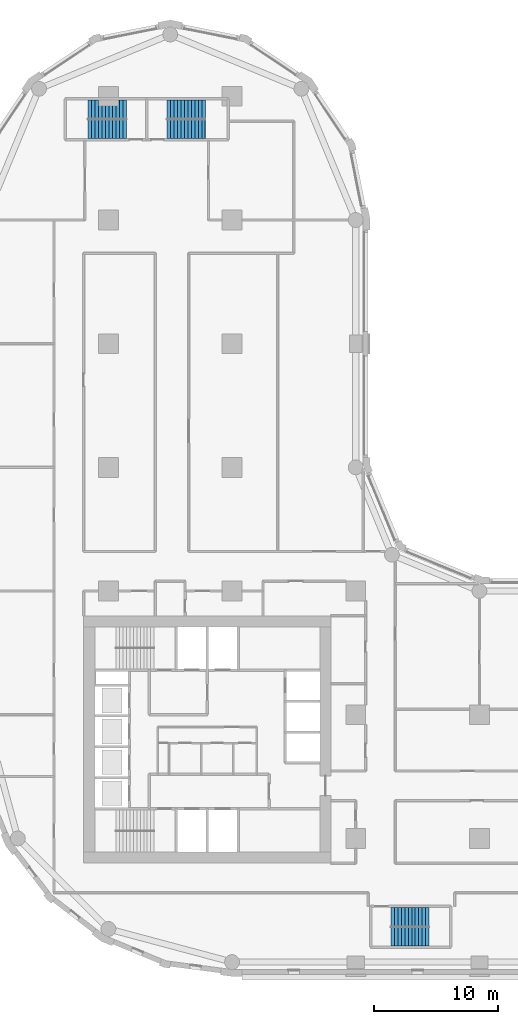
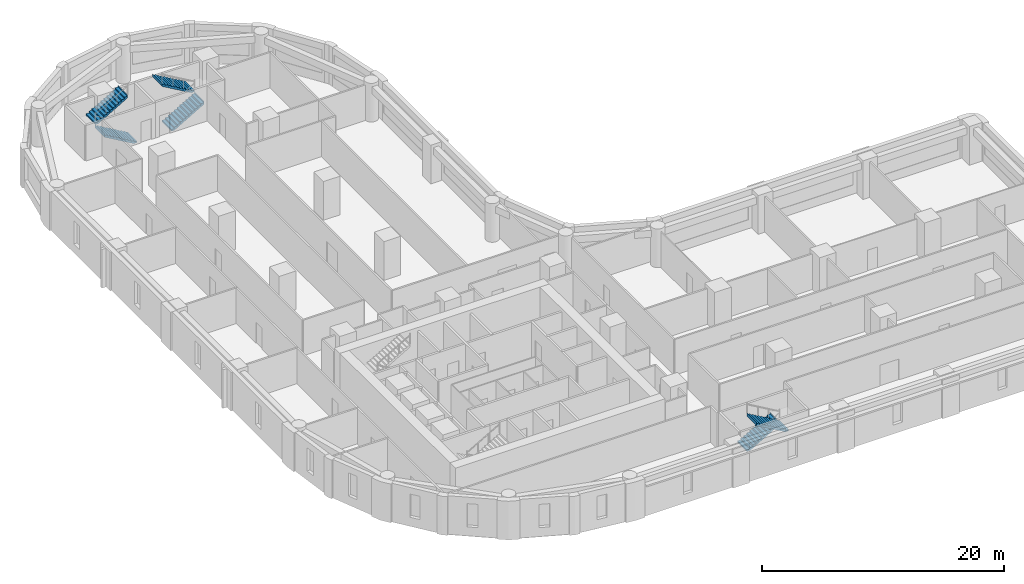
# One storey, part 8 of 10: 6 stair flights, 3 elements without a shape of their own.
"""IFC4 building model written with IfcOpenShell, lengths in metres."""

from ifc_helpers import new_model, si_unit, direction, frame, origin, place, context, subcontext, project, spatial, polyline, outline, extrude, material, type_object, element, aggregate, save


model = new_model("IFC4")

# Units and contexts
model_context = context("Model", 3, precision=1e-05, world=origin(), true_north=direction((0.0, 1.0)))
body_context = subcontext(model_context, "Body", "Model", "MODEL_VIEW")
ifc_project = project(units=[si_unit("LENGTHUNIT", "METRE"), si_unit("AREAUNIT", "SQUARE_METRE"), si_unit("VOLUMEUNIT", "CUBIC_METRE"), si_unit("PLANEANGLEUNIT", "RADIAN"), si_unit("MASSUNIT", "GRAM", prefix="KILO")], contexts=[model_context])

# Site, building, storey
site_placement = place(None, origin())
site = spatial("IfcSite", under=ifc_project, at=site_placement, CompositionType="ELEMENT")
building_placement = place(site_placement, origin())
building = spatial("IfcBuilding", under=site, at=building_placement, Name="Qaws Garden Tower", CompositionType="ELEMENT")
storey_placement = place(building_placement, frame((0.0, 0.0, 74.39990234375)))
storey = spatial("IfcBuildingStorey", under=building, at=storey_placement, Name="L18", CompositionType="ELEMENT", Elevation=74.39990234375)

# Stair, stair flights
ifc_material_1 = material(Name="Concrete C40", Category="concrete")
stair_type = type_object("IfcStairType", Name="Exit stair 1350", PredefinedType="HALF_TURN_STAIR", material=ifc_material_1)
placement = place(storey_placement, origin())
stair_1 = element("IfcStair", 1, at=placement, inside=storey, type_object=stair_type, Name="Stair 5", PredefinedType="HALF_TURN_STAIR")
ifc_material_2 = material(Name="Concrete C40", Category="concrete")
stair_flight_type = type_object("IfcStairFlightType", Name="Stair flight 1350", PredefinedType="STRAIGHT", material=ifc_material_2)
stair_flight_1_placement = place(storey_placement, frame((32.85009765625, 3.625, 0.0), z_axis=(0.0, 0.0, 1.0), x_axis=(1.0, 0.0, 0.0)))
stair_flight_1 = element("IfcStairFlight", 2, at=stair_flight_1_placement, type_object=stair_flight_type, Name="ST5 flight 1", NumberOfRisers=12, NumberOfTreads=11, PredefinedType="STRAIGHT", RiserHeight=0.1625, TreadLength=0.28, context=body_context, shape_type="SweptSolid", body=[
    extrude(outline(polyline([(-0.0029296875, 0.0), (-0.0029296875, 0.16259765625), (0.0, 0.16259765625), (0.280029296875, 0.16259765625), (0.280029296875, 0.324951171875), (0.56005859375, 0.324951171875), (0.56005859375, 0.487548828125), (0.840087890625, 0.487548828125), (0.840087890625, 0.64990234375), (1.1201171875, 0.64990234375), (1.1201171875, 0.8125), (1.39990234375, 0.8125), (1.39990234375, 0.97509765625), (1.679931640625, 0.97509765625), (1.679931640625, 1.137451171875), (1.9599609375, 1.137451171875), (1.9599609375, 1.300048828125), (2.239990234375, 1.300048828125), (2.239990234375, 1.46240234375), (2.52001953125, 1.46240234375), (2.52001953125, 1.625), (2.800048828125, 1.625), (2.800048828125, 1.78759765625), (3.080078125, 1.78759765625), (3.080078125, 1.949951171875), (3.0830078125, 1.949951171875), (3.0830078125, 1.6142578125), (3.080078125, 1.6142578125), (0.298583984375, 0.0), (-0.0029296875, 0.0)])), frame((0.0, 0.77490234375, 0.0), z_axis=(0.0, -1.0, 0.0), x_axis=(1.0, 0.0, 0.0)), (0.0, 0.0, 1.0), 1.550048828125),
])
stair_flight_2_placement = place(storey_placement, frame((35.929931640625, 2.074951171875, 1.9501953125), z_axis=(0.0, 0.0, 1.0), x_axis=(-1.0, 0.0, 0.0)))
stair_flight_2 = element("IfcStairFlight", 3, at=stair_flight_2_placement, type_object=stair_flight_type, Name="ST5 flight 2", NumberOfRisers=12, NumberOfTreads=11, PredefinedType="STRAIGHT", RiserHeight=0.1625, TreadLength=0.28, context=body_context, shape_type="SweptSolid", body=[
    extrude(outline(polyline([(-0.0029296875, 0.0), (-0.0029296875, 0.16259765625), (0.0, 0.16259765625), (0.280029296875, 0.16259765625), (0.280029296875, 0.324951171875), (0.56005859375, 0.324951171875), (0.56005859375, 0.487548828125), (0.840087890625, 0.487548828125), (0.840087890625, 0.64990234375), (1.1201171875, 0.64990234375), (1.1201171875, 0.8125), (1.39990234375, 0.8125), (1.39990234375, 0.97509765625), (1.679931640625, 0.97509765625), (1.679931640625, 1.137451171875), (1.9599609375, 1.137451171875), (1.9599609375, 1.300048828125), (2.239990234375, 1.300048828125), (2.239990234375, 1.46240234375), (2.52001953125, 1.46240234375), (2.52001953125, 1.625), (2.800048828125, 1.625), (2.800048828125, 1.78759765625), (3.080078125, 1.78759765625), (3.080078125, 1.949951171875), (3.0830078125, 1.949951171875), (3.0830078125, 1.6142578125), (3.080078125, 1.6142578125), (0.298583984375, 0.0), (-0.0029296875, 0.0)])), frame((0.0, 0.77490234375, 0.0), z_axis=(0.0, -1.0, 0.0), x_axis=(1.0, 0.0, 0.0)), (0.0, 0.0, 1.0), 1.550048828125),
])
aggregate(stair_1, [stair_flight_1, stair_flight_2])

stair_2 = element("IfcStair", 4, at=placement, inside=storey, type_object=stair_type, Name="Stair 6", PredefinedType="HALF_TURN_STAIR")
stair_flight_3_placement = place(storey_placement, frame((11.449951171875, 67.375, 0.0), z_axis=(0.0, 0.0, 1.0), x_axis=(-1.0, 0.0, 0.0)))
stair_flight_3 = element("IfcStairFlight", 5, at=stair_flight_3_placement, type_object=stair_flight_type, Name="ST6 flight 1", NumberOfRisers=12, NumberOfTreads=11, PredefinedType="STRAIGHT", RiserHeight=0.1625, TreadLength=0.28, context=body_context, shape_type="SweptSolid", body=[
    extrude(outline(polyline([(-0.0029296875, 0.0), (-0.0029296875, 0.16259765625), (0.0, 0.16259765625), (0.280029296875, 0.16259765625), (0.280029296875, 0.324951171875), (0.56005859375, 0.324951171875), (0.56005859375, 0.487548828125), (0.840087890625, 0.487548828125), (0.840087890625, 0.64990234375), (1.1201171875, 0.64990234375), (1.1201171875, 0.8125), (1.39990234375, 0.8125), (1.39990234375, 0.97509765625), (1.679931640625, 0.97509765625), (1.679931640625, 1.137451171875), (1.9599609375, 1.137451171875), (1.9599609375, 1.300048828125), (2.239990234375, 1.300048828125), (2.239990234375, 1.46240234375), (2.52001953125, 1.46240234375), (2.52001953125, 1.625), (2.800048828125, 1.625), (2.800048828125, 1.78759765625), (3.080078125, 1.78759765625), (3.080078125, 1.949951171875), (3.0830078125, 1.949951171875), (3.0830078125, 1.6142578125), (3.080078125, 1.6142578125), (0.298583984375, 0.0), (-0.0029296875, 0.0)])), frame((0.0, 0.77490234375, 0.0), z_axis=(0.0, -1.0, 0.0), x_axis=(1.0, 0.0, 0.0)), (0.0, 0.0, 1.0), 1.550048828125),
])
stair_flight_4_placement = place(storey_placement, frame((8.3701171875, 68.925048828125, 1.9501953125), z_axis=(0.0, 0.0, 1.0), x_axis=(1.0, 0.0, 0.0)))
stair_flight_4 = element("IfcStairFlight", 6, at=stair_flight_4_placement, type_object=stair_flight_type, Name="ST6 flight 2", NumberOfRisers=12, NumberOfTreads=11, PredefinedType="STRAIGHT", RiserHeight=0.1625, TreadLength=0.28, context=body_context, shape_type="SweptSolid", body=[
    extrude(outline(polyline([(-0.0029296875, 0.0), (-0.0029296875, 0.16259765625), (0.0, 0.16259765625), (0.280029296875, 0.16259765625), (0.280029296875, 0.324951171875), (0.56005859375, 0.324951171875), (0.56005859375, 0.487548828125), (0.840087890625, 0.487548828125), (0.840087890625, 0.64990234375), (1.1201171875, 0.64990234375), (1.1201171875, 0.8125), (1.39990234375, 0.8125), (1.39990234375, 0.97509765625), (1.679931640625, 0.97509765625), (1.679931640625, 1.137451171875), (1.9599609375, 1.137451171875), (1.9599609375, 1.300048828125), (2.239990234375, 1.300048828125), (2.239990234375, 1.46240234375), (2.52001953125, 1.46240234375), (2.52001953125, 1.625), (2.800048828125, 1.625), (2.800048828125, 1.78759765625), (3.080078125, 1.78759765625), (3.080078125, 1.949951171875), (3.0830078125, 1.949951171875), (3.0830078125, 1.6142578125), (3.080078125, 1.6142578125), (0.298583984375, 0.0), (-0.0029296875, 0.0)])), frame((0.0, 0.77490234375, 0.0), z_axis=(0.0, -1.0, 0.0), x_axis=(1.0, 0.0, 0.0)), (0.0, 0.0, 1.0), 1.550048828125),
])
aggregate(stair_2, [stair_flight_3, stair_flight_4])

stair_3 = element("IfcStair", 7, at=placement, inside=storey, type_object=stair_type, Name="Stair 7", PredefinedType="HALF_TURN_STAIR")
stair_flight_5_placement = place(storey_placement, frame((14.75, 67.375, 0.0), z_axis=(0.0, 0.0, 1.0), x_axis=(1.0, 0.0, 0.0)))
stair_flight_5 = element("IfcStairFlight", 8, at=stair_flight_5_placement, type_object=stair_flight_type, Name="ST7 flight 1", NumberOfRisers=12, NumberOfTreads=11, PredefinedType="STRAIGHT", RiserHeight=0.1625, TreadLength=0.28, context=body_context, shape_type="SweptSolid", body=[
    extrude(outline(polyline([(-0.0029296875, 0.0), (-0.0029296875, 0.16259765625), (0.0, 0.16259765625), (0.280029296875, 0.16259765625), (0.280029296875, 0.324951171875), (0.56005859375, 0.324951171875), (0.56005859375, 0.487548828125), (0.840087890625, 0.487548828125), (0.840087890625, 0.64990234375), (1.1201171875, 0.64990234375), (1.1201171875, 0.8125), (1.39990234375, 0.8125), (1.39990234375, 0.97509765625), (1.679931640625, 0.97509765625), (1.679931640625, 1.137451171875), (1.9599609375, 1.137451171875), (1.9599609375, 1.300048828125), (2.239990234375, 1.300048828125), (2.239990234375, 1.46240234375), (2.52001953125, 1.46240234375), (2.52001953125, 1.625), (2.800048828125, 1.625), (2.800048828125, 1.78759765625), (3.080078125, 1.78759765625), (3.080078125, 1.949951171875), (3.0830078125, 1.949951171875), (3.0830078125, 1.6142578125), (3.080078125, 1.6142578125), (0.298583984375, 0.0), (-0.0029296875, 0.0)])), frame((0.0, 0.77490234375, 0.0), z_axis=(0.0, -1.0, 0.0), x_axis=(1.0, 0.0, 0.0)), (0.0, 0.0, 1.0), 1.550048828125),
])
stair_flight_6_placement = place(storey_placement, frame((17.830078125, 68.925048828125, 1.9501953125), z_axis=(0.0, 0.0, 1.0), x_axis=(-1.0, 0.0, 0.0)))
stair_flight_6 = element("IfcStairFlight", 9, at=stair_flight_6_placement, type_object=stair_flight_type, Name="ST7 flight 2", NumberOfRisers=12, NumberOfTreads=11, PredefinedType="STRAIGHT", RiserHeight=0.1625, TreadLength=0.28, context=body_context, shape_type="SweptSolid", body=[
    extrude(outline(polyline([(-0.0029296875, 0.0), (-0.0029296875, 0.16259765625), (0.0, 0.16259765625), (0.280029296875, 0.16259765625), (0.280029296875, 0.324951171875), (0.56005859375, 0.324951171875), (0.56005859375, 0.487548828125), (0.840087890625, 0.487548828125), (0.840087890625, 0.64990234375), (1.1201171875, 0.64990234375), (1.1201171875, 0.8125), (1.39990234375, 0.8125), (1.39990234375, 0.97509765625), (1.679931640625, 0.97509765625), (1.679931640625, 1.137451171875), (1.9599609375, 1.137451171875), (1.9599609375, 1.300048828125), (2.239990234375, 1.300048828125), (2.239990234375, 1.46240234375), (2.52001953125, 1.46240234375), (2.52001953125, 1.625), (2.800048828125, 1.625), (2.800048828125, 1.78759765625), (3.080078125, 1.78759765625), (3.080078125, 1.949951171875), (3.0830078125, 1.949951171875), (3.0830078125, 1.6142578125), (3.080078125, 1.6142578125), (0.298583984375, 0.0), (-0.0029296875, 0.0)])), frame((0.0, 0.77490234375, 0.0), z_axis=(0.0, -1.0, 0.0), x_axis=(1.0, 0.0, 0.0)), (0.0, 0.0, 1.0), 1.550048828125),
])
aggregate(stair_3, [stair_flight_5, stair_flight_6])

save(model, "model.ifc")
